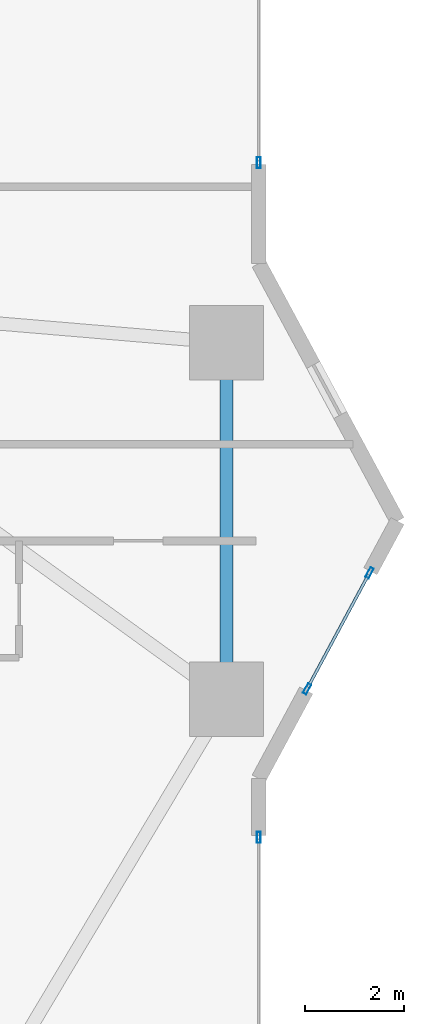
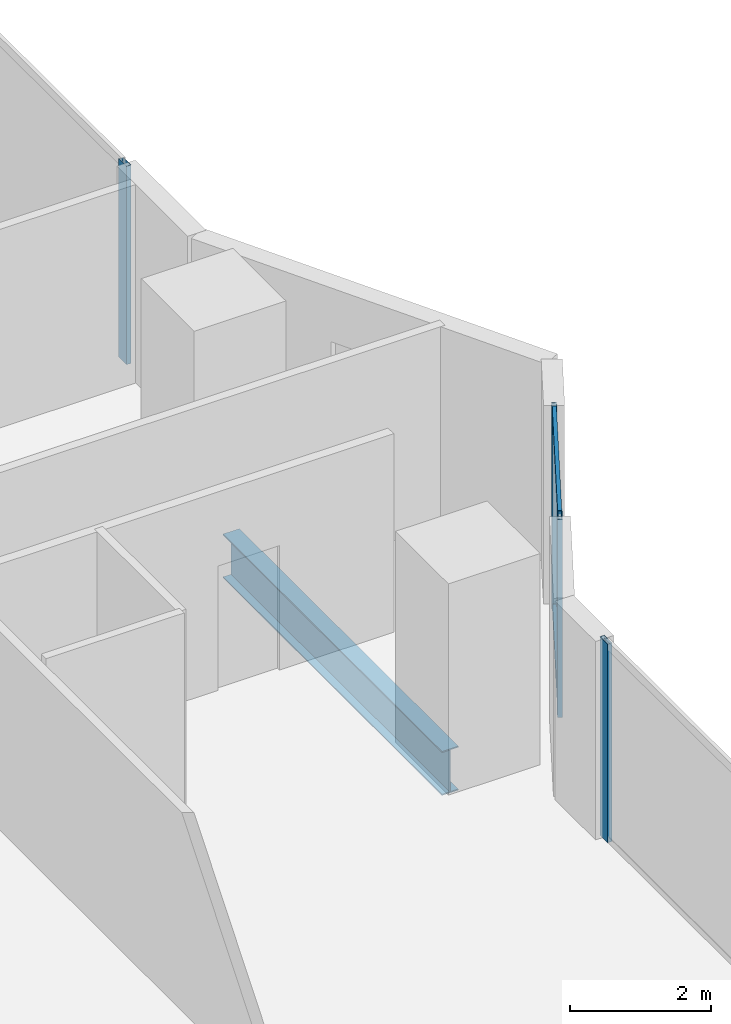
# One storey, part 12 of 28: 6 members, 1 beam, 3 elements without a shape of their own.
"""IFC4 building model written with IfcOpenShell, lengths in metres."""

from ifc_helpers import new_model, si_unit, direction, frame, origin, origin_2d, place, context, subcontext, project, spatial, hollow_rectangle, i_section, extrude, material, layer, layer_set, material_profile, profile_set, type_object, element, aggregate, save


model = new_model("IFC4")

# Units and contexts
model_context = context("Model", 3, precision=1e-05, world=origin(), true_north=direction((0.0, 1.0)))
body_context = subcontext(model_context, "Body", "Model", "MODEL_VIEW")
ifc_project = project(units=[si_unit("LENGTHUNIT", "METRE"), si_unit("AREAUNIT", "SQUARE_METRE"), si_unit("VOLUMEUNIT", "CUBIC_METRE"), si_unit("PLANEANGLEUNIT", "RADIAN"), si_unit("MASSUNIT", "GRAM", prefix="KILO")], contexts=[model_context])

# Site, building, storey
site_placement = place(None, origin())
site = spatial("IfcSite", under=ifc_project, at=site_placement, CompositionType="ELEMENT")
building_placement = place(site_placement, origin())
building = spatial("IfcBuilding", under=site, at=building_placement, Name="Zuhayl Quay Hotel", CompositionType="ELEMENT")
storey_placement = place(building_placement, frame((0.0, 0.0, 71.39990234375)))
storey = spatial("IfcBuildingStorey", under=building, at=storey_placement, Name="L17", CompositionType="ELEMENT", Elevation=71.39990234375)

# Beam
ifc_material_1 = material(Name="Steel ASTM A992 Grade 50", Category="steel")
ifc_material_profile_1 = material_profile(ifc_material_1, i_section(OverallWidth=0.26708984375, OverallDepth=0.761962890625, WebThickness=0.014404296875, FlangeThickness=0.021484375, at=origin_2d()), Name="W30X116")
ifc_profile_set_1 = profile_set([ifc_material_profile_1], Name="Steel ASTM A992 Grade 50")
beam_type = type_object("IfcBeamType", Name="BM_B1_W30X116", PredefinedType="BEAM", material=ifc_profile_set_1)
beam_placement = place(storey_placement, frame((25.050048828125, -3.10009765625, -0.600830078125), z_axis=(0.0, 1.0, 0.0), x_axis=(-1.0, 0.0, 0.0)))
element("IfcBeam", 1, at=beam_placement, inside=storey, type_object=beam_type, Name="L17 Floor Beam RG_L17_05", PredefinedType="BEAM", context=body_context, shape_type="SweptSolid", body=[
    extrude(i_section(OverallWidth=0.26708984375, OverallDepth=0.761962890625, WebThickness=0.014404296875, FlangeThickness=0.021484375, at=origin_2d()), origin(), (0.0, 0.0, 1.0), 6.2001953125),
])

# Curtain wall, member
ifc_material_2 = material(Name="Anodised Aluminium 6063-T6", Category="aluminium")
ifc_layer = layer(ifc_material_2, 0.18994140625, Name="Anodised Aluminium 6063-T6", Category="aluminium")
ifc_layer_set = layer_set([ifc_layer], Name="Anodised Aluminium 6063-T6")
curtain_wall_type = type_object("IfcCurtainWallType", Name="CW_SYS_Z1", PredefinedType="USERDEFINED", material=ifc_layer_set)
curtain_wall_1_placement = place(storey_placement, origin())
curtain_wall_1 = element("IfcCurtainWall", 2, at=curtain_wall_1_placement, inside=storey, type_object=curtain_wall_type, Name="L17 Curtain Wall ENV_L17_E11_CW1", ObjectType="UNITISED CURTAIN WALL", PredefinedType="USERDEFINED")
ifc_material_3 = material(Name="Black-anodised aluminium 6063-T6", Category="aluminium")
ifc_material_profile_2 = material_profile(ifc_material_3, hollow_rectangle(XDim=0.074951171875, YDim=0.219970703125, WallThickness=0.00390625, at=origin_2d()), Name="ALU220X75")
ifc_profile_set_2 = profile_set([ifc_material_profile_2], Name="Black-anodised aluminium 6063-T6")
member_type_1 = type_object("IfcMemberType", Name="MB_CW_MUL_220", PredefinedType="MULLION", material=ifc_profile_set_2)
member_1_placement = place(storey_placement, frame((25.699951171875, 7.237548828125, 0.0), z_axis=(0.0, 0.0, 1.0), x_axis=(1.0, 0.0, 0.0)))
member_1 = element("IfcMember", 3, at=member_1_placement, type_object=member_type_1, Name="CW-Z1 mullion 2", PredefinedType="MULLION", context=body_context, shape_type="SweptSolid", body=[
    extrude(hollow_rectangle(XDim=0.074951171875, YDim=0.219970703125, WallThickness=0.00390625, at=origin_2d()), origin(), (0.0, 0.0, 1.0), 3.43017578125),
])
aggregate(curtain_wall_1, [member_1])

# Curtain wall, members
curtain_wall_2_placement = place(storey_placement, origin())
curtain_wall_2 = element("IfcCurtainWall", 4, at=curtain_wall_2_placement, inside=storey, type_object=curtain_wall_type, Name="L17 Curtain Wall ENV_L17_E13_CW1", ObjectType="UNITISED CURTAIN WALL", PredefinedType="USERDEFINED")
member_2_placement = place(storey_placement, frame((27.93701171875, -1.04541015625, 0.0), z_axis=(0.0, 0.0, 1.0), x_axis=(0.880475795468, -0.474091102632, 0.0)))
member_2 = element("IfcMember", 5, at=member_2_placement, type_object=member_type_1, Name="CW-Z1 mullion 1", PredefinedType="MULLION", context=body_context, shape_type="SweptSolid", body=[
    extrude(hollow_rectangle(XDim=0.074951171875, YDim=0.219970703125, WallThickness=0.00390625, at=origin_2d()), origin(), (0.0, 0.0, 1.0), 3.43017578125),
])
member_3_placement = place(storey_placement, frame((26.67578125, -3.387939453125, 0.0), z_axis=(0.0, 0.0, 1.0), x_axis=(0.880475795468, -0.474091102632, 0.0)))
member_3 = element("IfcMember", 6, at=member_3_placement, type_object=member_type_1, Name="CW-Z1 mullion 2", PredefinedType="MULLION", context=body_context, shape_type="SweptSolid", body=[
    extrude(hollow_rectangle(XDim=0.074951171875, YDim=0.219970703125, WallThickness=0.00390625, at=origin_2d()), origin(), (0.0, 0.0, 1.0), 3.43017578125),
])

# Curtain wall, member
curtain_wall_3_placement = place(storey_placement, origin())
curtain_wall_3 = element("IfcCurtainWall", 7, at=curtain_wall_3_placement, inside=storey, type_object=curtain_wall_type, Name="L17 Curtain Wall ENV_L17_E14_CW1", ObjectType="UNITISED CURTAIN WALL", PredefinedType="USERDEFINED")
member_4_placement = place(storey_placement, frame((25.699951171875, -6.387451171875, 0.0), z_axis=(0.0, 0.0, 1.0), x_axis=(1.0, 0.0, 0.0)))
member_4 = element("IfcMember", 8, at=member_4_placement, type_object=member_type_1, Name="CW-Z1 mullion 1", PredefinedType="MULLION", context=body_context, shape_type="SweptSolid", body=[
    extrude(hollow_rectangle(XDim=0.074951171875, YDim=0.219970703125, WallThickness=0.00390625, at=origin_2d()), origin(), (0.0, 0.0, 1.0), 3.43017578125),
])
aggregate(curtain_wall_3, [member_4])

# Member
ifc_material_profile_3 = material_profile(ifc_material_3, hollow_rectangle(XDim=0.06005859375, YDim=0.14990234375, WallThickness=0.00341796875, at=origin_2d()), Name="ALU150X60")
ifc_profile_set_3 = profile_set([ifc_material_profile_3], Name="Black-anodised aluminium 6063-T6")
member_type_2 = type_object("IfcMemberType", Name="MB_CW_TRN_150", PredefinedType="USERDEFINED", material=ifc_profile_set_3)
member_5_placement = place(storey_placement, frame((27.919189453125, -1.07861328125, 0.030029296875), z_axis=(-0.474054771703, -0.880495356845, 0.0), x_axis=(0.880495356845, -0.474054771703, 0.0)))
member_5 = element("IfcMember", 9, at=member_5_placement, type_object=member_type_2, Name="CW-Z1 transom 1.1", ObjectType="TRANSOM", PredefinedType="USERDEFINED", context=body_context, shape_type="SweptSolid", body=[
    extrude(hollow_rectangle(XDim=0.06005859375, YDim=0.14990234375, WallThickness=0.00341796875, at=origin_2d()), origin(), (0.0, 0.0, 1.0), 2.585205078125),
])

member_6_placement = place(storey_placement, frame((27.919189453125, -1.07861328125, 3.400146484375), z_axis=(-0.474054771703, -0.880495356845, 0.0), x_axis=(0.880495356845, -0.474054771703, 0.0)))
member_6 = element("IfcMember", 10, at=member_6_placement, type_object=member_type_2, Name="CW-Z1 transom 1.2", ObjectType="TRANSOM", PredefinedType="USERDEFINED", context=body_context, shape_type="SweptSolid", body=[
    extrude(hollow_rectangle(XDim=0.06005859375, YDim=0.14990234375, WallThickness=0.00341796875, at=origin_2d()), origin(), (0.0, 0.0, 1.0), 2.585205078125),
])

aggregate(curtain_wall_2, [member_2, member_3, member_5, member_6])

save(model, "model.ifc")
